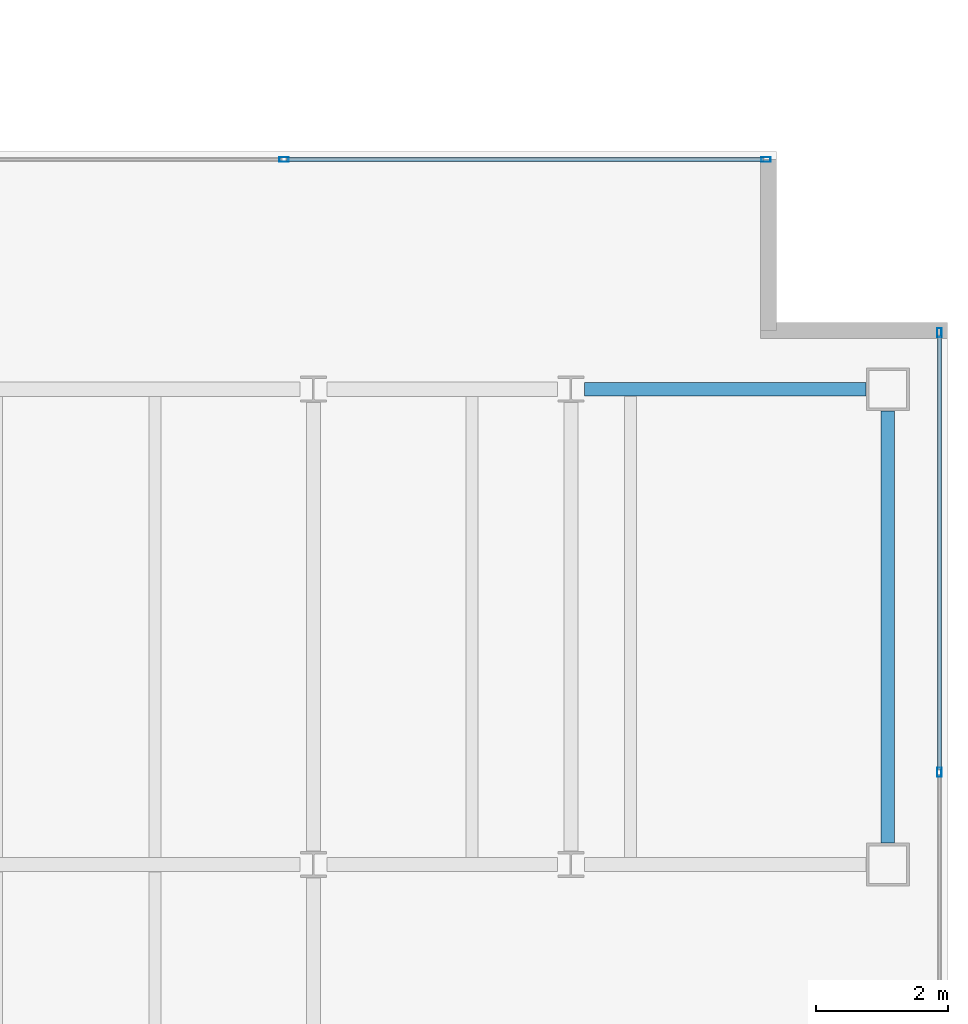
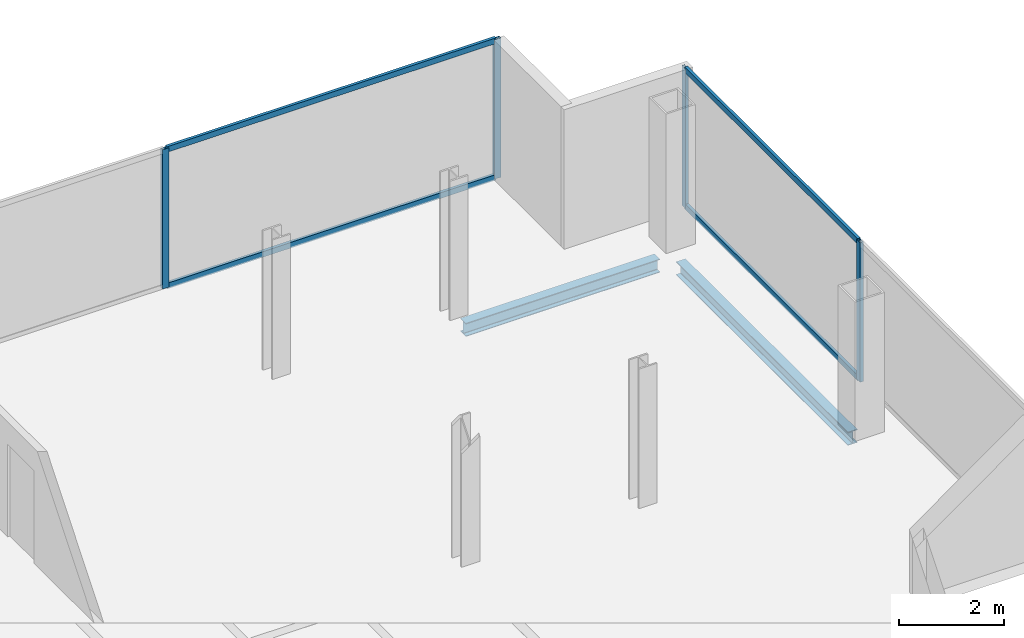
# One storey, part 16 of 23: 8 members, 2 beams, 2 elements without a shape of their own.
"""IFC4 building model written with IfcOpenShell, lengths in metres."""

from ifc_helpers import new_model, si_unit, direction, frame, origin, origin_2d, place, context, subcontext, project, spatial, hollow_rectangle, i_section, extrude, material, material_profile, profile_set, type_object, element, aggregate, save


model = new_model("IFC4")

# Units and contexts
model_context = context("Model", 3, precision=1e-05, world=origin(), true_north=direction((0.0, 1.0)))
body_context = subcontext(model_context, "Body", "Model", "MODEL_VIEW")
ifc_project = project(units=[si_unit("LENGTHUNIT", "METRE"), si_unit("AREAUNIT", "SQUARE_METRE"), si_unit("VOLUMEUNIT", "CUBIC_METRE"), si_unit("PLANEANGLEUNIT", "RADIAN"), si_unit("MASSUNIT", "GRAM", prefix="KILO")], contexts=[model_context])

# Site, building, storey
site_placement = place(None, origin())
site = spatial("IfcSite", under=ifc_project, at=site_placement, CompositionType="ELEMENT")
building_placement = place(site_placement, origin())
building = spatial("IfcBuilding", under=site, at=building_placement, Name="Cobrela Telecom Tower", CompositionType="ELEMENT")
storey_placement = place(building_placement, frame((0.0, 0.0, 269.14990234375)))
storey = spatial("IfcBuildingStorey", under=building, at=storey_placement, Name="L70", CompositionType="ELEMENT", Elevation=269.14990234375)

# Beams
ifc_material_1 = material(Name="Steel ASTM A992 Grade 50", Category="steel")
ifc_material_profile_1 = material_profile(ifc_material_1, i_section(OverallWidth=0.205078125, OverallDepth=0.31005859375, WebThickness=0.009521484375, FlangeThickness=0.016357421875, FilletRadius=0.010986328125, at=origin_2d()), Name="W12X50")
ifc_profile_set_1 = profile_set([ifc_material_profile_1], Name="Steel ASTM A992 Grade 50")
beam_type = type_object("IfcBeamType", Name="BM-SPAND-07", PredefinedType="SPANDREL", material=ifc_profile_set_1)
beam_1_placement = place(storey_placement, frame((40.1044921875, 21.60009765625, -0.414794921875), z_axis=(1.0, 0.0, 0.0), x_axis=(0.0, 1.0, 0.0)))
element("IfcBeam", 1, at=beam_1_placement, inside=storey, type_object=beam_type, Name="L70 Perimeter Spandrel X14", PredefinedType="SPANDREL", context=body_context, shape_type="SweptSolid", body=[
    extrude(i_section(OverallWidth=0.205078125, OverallDepth=0.31005859375, WebThickness=0.009521484375, FlangeThickness=0.016357421875, FilletRadius=0.010986328125, at=origin_2d()), origin(), (0.0, 0.0, 1.0), 4.265625),
])
beam_2_placement = place(storey_placement, frame((44.699951171875, 14.72998046875, -0.414794921875), z_axis=(0.0, 1.0, 0.0), x_axis=(-1.0, 0.0, 0.0)))
element("IfcBeam", 2, at=beam_2_placement, inside=storey, type_object=beam_type, Name="L70 Perimeter Spandrel Y34", PredefinedType="SPANDREL", context=body_context, shape_type="SweptSolid", body=[
    extrude(i_section(OverallWidth=0.205078125, OverallDepth=0.31005859375, WebThickness=0.009521484375, FlangeThickness=0.016357421875, FilletRadius=0.010986328125, at=origin_2d()), origin(), (0.0, 0.0, 1.0), 6.5400390625),
])

# Curtain wall, members
ifc_material_2 = material(Name="Anodized Bronze Aluminium 6063-T6", Category="aluminium")
curtain_wall_type = type_object("IfcCurtainWallType", Name="CW-SYS-OFF-HI", PredefinedType="USERDEFINED", material=ifc_material_2)
curtain_wall_1_placement = place(storey_placement, origin())
curtain_wall_1 = element("IfcCurtainWall", 3, at=curtain_wall_1_placement, inside=storey, type_object=curtain_wall_type, Name="L70 Unitised Bronze Curtain Wall 09", ObjectType="UNITISED CURTAIN WALL", PredefinedType="USERDEFINED")
ifc_material_profile_2 = material_profile(ifc_material_2, hollow_rectangle(XDim=0.070068359375, YDim=0.139892578125, WallThickness=0.00390625, at=origin_2d()), Name="ALU 70x140x4")
ifc_profile_set_2 = profile_set([ifc_material_profile_2], Name="Anodized Bronze Aluminium 6063-T6")
member_type_1 = type_object("IfcMemberType", Name="CW-SYS-OFF-HI-MUL", PredefinedType="MULLION", material=ifc_profile_set_2)
member_1_placement = place(storey_placement, frame((35.55322265625, 25.080078125, 0.0), z_axis=(0.0, 0.0, 1.0), x_axis=(0.0, 1.0, 0.0)))
member_1 = element("IfcMember", 4, at=member_1_placement, type_object=member_type_1, Name="CW-OFF-HI mullion 3", PredefinedType="MULLION", context=body_context, shape_type="SweptSolid", body=[
    extrude(hollow_rectangle(XDim=0.070068359375, YDim=0.139892578125, WallThickness=0.00390625, at=origin_2d()), origin(), (0.0, 0.0, 1.0), 3.239990234375),
])
member_2_placement = place(storey_placement, frame((42.85498046875, 25.080078125, 0.0), z_axis=(0.0, 0.0, 1.0), x_axis=(0.0, 1.0, 0.0)))
member_2 = element("IfcMember", 5, at=member_2_placement, type_object=member_type_1, Name="CW-OFF-HI mullion 4", PredefinedType="MULLION", context=body_context, shape_type="SweptSolid", body=[
    extrude(hollow_rectangle(XDim=0.070068359375, YDim=0.139892578125, WallThickness=0.00390625, at=origin_2d()), origin(), (0.0, 0.0, 1.0), 3.239990234375),
])

curtain_wall_2_placement = place(storey_placement, origin())
curtain_wall_2 = element("IfcCurtainWall", 6, at=curtain_wall_2_placement, inside=storey, type_object=curtain_wall_type, Name="L70 Unitised Bronze Curtain Wall 12", ObjectType="UNITISED CURTAIN WALL", PredefinedType="USERDEFINED")
member_3_placement = place(storey_placement, frame((45.47998046875, 22.455078125, 0.0), z_axis=(0.0, 0.0, 1.0), x_axis=(1.0, 0.0, 0.0)))
member_3 = element("IfcMember", 7, at=member_3_placement, type_object=member_type_1, Name="CW-OFF-HI mullion 1", PredefinedType="MULLION", context=body_context, shape_type="SweptSolid", body=[
    extrude(hollow_rectangle(XDim=0.070068359375, YDim=0.139892578125, WallThickness=0.00390625, at=origin_2d()), origin(), (0.0, 0.0, 1.0), 3.239990234375),
])
member_4_placement = place(storey_placement, frame((45.47998046875, 15.800048828125, 0.0), z_axis=(0.0, 0.0, 1.0), x_axis=(1.0, 0.0, 0.0)))
member_4 = element("IfcMember", 8, at=member_4_placement, type_object=member_type_1, Name="CW-OFF-HI mullion 2", PredefinedType="MULLION", context=body_context, shape_type="SweptSolid", body=[
    extrude(hollow_rectangle(XDim=0.070068359375, YDim=0.139892578125, WallThickness=0.00390625, at=origin_2d()), origin(), (0.0, 0.0, 1.0), 3.239990234375),
])

# Member
ifc_material_profile_3 = material_profile(ifc_material_2, hollow_rectangle(XDim=0.06494140625, YDim=0.1298828125, WallThickness=0.00390625, at=origin_2d()), Name="ALU 65x130x4")
ifc_profile_set_3 = profile_set([ifc_material_profile_3], Name="Anodized Bronze Aluminium 6063-T6")
member_type_2 = type_object("IfcMemberType", Name="CW-SYS-OFF-HI-TRN", PredefinedType="USERDEFINED", material=ifc_profile_set_3)
member_5_placement = place(storey_placement, frame((35.58837890625, 25.080078125, 0.03271484375), z_axis=(1.0, 0.0, 0.0), x_axis=(0.0, 1.0, 0.0)))
member_5 = element("IfcMember", 9, at=member_5_placement, type_object=member_type_2, Name="CW-OFF-HI transom 3.1", ObjectType="TRANSOM", PredefinedType="USERDEFINED", context=body_context, shape_type="SweptSolid", body=[
    extrude(hollow_rectangle(XDim=0.06494140625, YDim=0.1298828125, WallThickness=0.00390625, at=origin_2d()), origin(), (0.0, 0.0, 1.0), 7.231689453125),
])

member_6_placement = place(storey_placement, frame((35.58837890625, 25.080078125, 3.20751953125), z_axis=(1.0, 0.0, 0.0), x_axis=(0.0, 1.0, 0.0)))
member_6 = element("IfcMember", 10, at=member_6_placement, type_object=member_type_2, Name="CW-OFF-HI transom 3.2", ObjectType="TRANSOM", PredefinedType="USERDEFINED", context=body_context, shape_type="SweptSolid", body=[
    extrude(hollow_rectangle(XDim=0.06494140625, YDim=0.1298828125, WallThickness=0.00390625, at=origin_2d()), origin(), (0.0, 0.0, 1.0), 7.231689453125),
])

aggregate(curtain_wall_1, [member_1, member_2, member_5, member_6])

member_7_placement = place(storey_placement, frame((45.47998046875, 22.419921875, 0.03271484375), z_axis=(0.0, -1.0, 0.0), x_axis=(1.0, 0.0, 0.0)))
member_7 = element("IfcMember", 11, at=member_7_placement, type_object=member_type_2, Name="CW-OFF-HI transom 1.1", ObjectType="TRANSOM", PredefinedType="USERDEFINED", context=body_context, shape_type="SweptSolid", body=[
    extrude(hollow_rectangle(XDim=0.06494140625, YDim=0.1298828125, WallThickness=0.00390625, at=origin_2d()), origin(), (0.0, 0.0, 1.0), 6.5849609375),
])

member_8_placement = place(storey_placement, frame((45.47998046875, 22.419921875, 3.20751953125), z_axis=(0.0, -1.0, 0.0), x_axis=(1.0, 0.0, 0.0)))
member_8 = element("IfcMember", 12, at=member_8_placement, type_object=member_type_2, Name="CW-OFF-HI transom 1.2", ObjectType="TRANSOM", PredefinedType="USERDEFINED", context=body_context, shape_type="SweptSolid", body=[
    extrude(hollow_rectangle(XDim=0.06494140625, YDim=0.1298828125, WallThickness=0.00390625, at=origin_2d()), origin(), (0.0, 0.0, 1.0), 6.5849609375),
])

aggregate(curtain_wall_2, [member_3, member_4, member_7, member_8])

save(model, "model.ifc")
